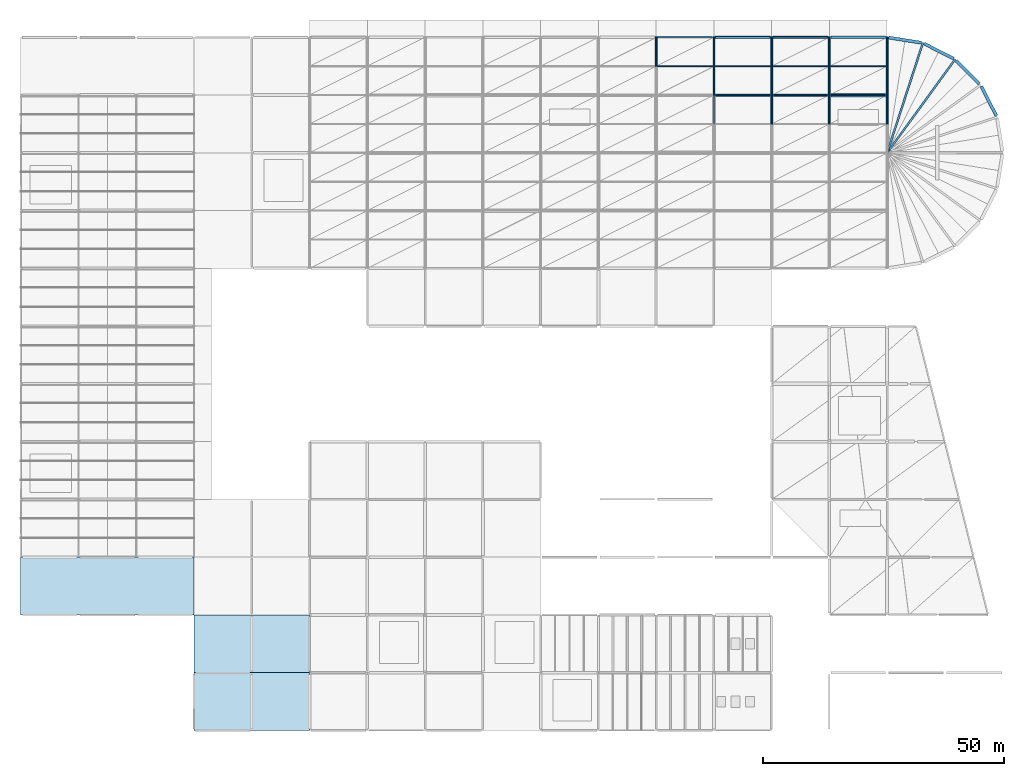
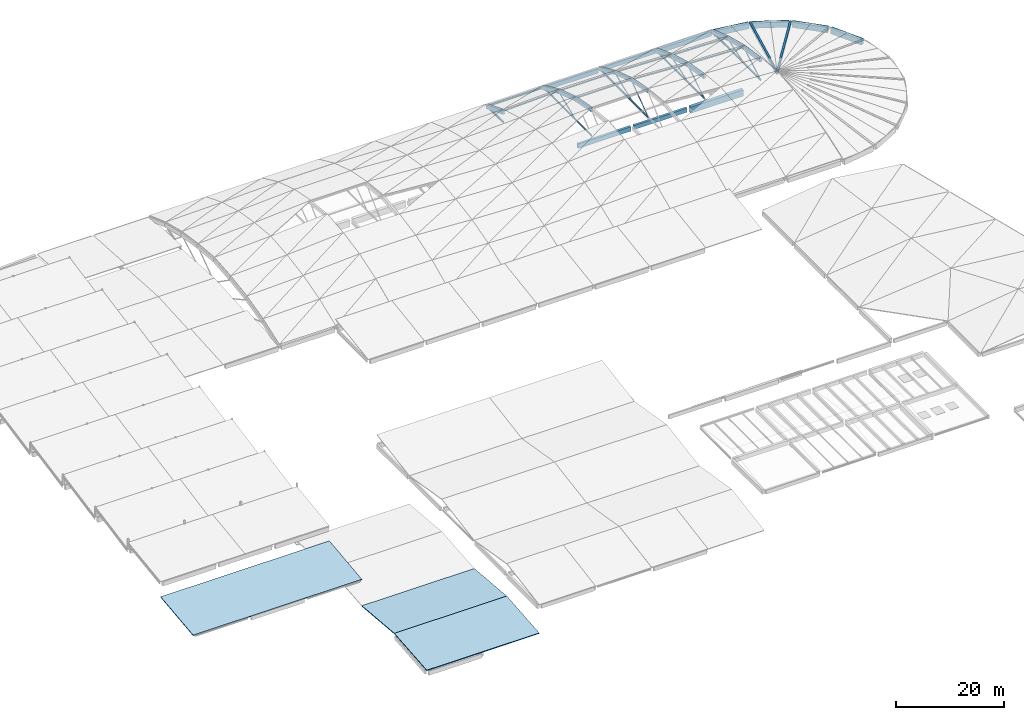
# One storey, part 17 of 23: 33 beams, 25 members, 3 slabs, 2 elements without a shape of their own.
"""IFC4 building model written with IfcOpenShell, lengths in metres."""

from ifc_helpers import new_model, si_unit, direction, frame, origin, origin_2d, place, context, subcontext, project, spatial, polyline, rectangle, hollow_circle, i_section, outline, extrude, material, layer, layer_set, material_profile, profile_set, type_object, element, aggregate, save


model = new_model("IFC4")

# Units and contexts
model_context = context("Model", 3, precision=1e-05, world=origin(), true_north=direction((0.0, 1.0)))
body_context = subcontext(model_context, "Body", "Model", "MODEL_VIEW")
ifc_project = project(units=[si_unit("LENGTHUNIT", "METRE"), si_unit("AREAUNIT", "SQUARE_METRE"), si_unit("VOLUMEUNIT", "CUBIC_METRE"), si_unit("PLANEANGLEUNIT", "RADIAN"), si_unit("MASSUNIT", "GRAM", prefix="KILO")], contexts=[model_context])

# Site, building, storey
site_placement = place(None, origin())
site = spatial("IfcSite", under=ifc_project, at=site_placement, CompositionType="ELEMENT")
building_placement = place(site_placement, origin())
building = spatial("IfcBuilding", under=site, at=building_placement, Name="Kamomehara Wholesale Market", CompositionType="ELEMENT")
storey_placement = place(building_placement, frame((0.0, 0.0, 21.0)))
storey = spatial("IfcBuildingStorey", under=building, at=storey_placement, Name="RF", CompositionType="ELEMENT", Elevation=21.0)

# Beams
ifc_material_1 = material(Name="Precast concrete Fc45 (C40/50)", Category="concrete")
ifc_material_profile_1 = material_profile(ifc_material_1, rectangle(XDim=0.5, YDim=1.0, at=origin_2d()), Name="PC-GRD-500x1000")
ifc_profile_set_1 = profile_set([ifc_material_profile_1], Name="Precast concrete Fc45 (C40/50)")
beam_type_1 = type_object("IfcBeamType", Name="BM-PG1000", PredefinedType="T_BEAM", material=ifc_profile_set_1)
beam_1_placement = place(storey_placement, frame((144.375, 144.0, -15.241943359375), z_axis=(1.0, 0.0, 0.0), x_axis=(0.0, 1.0, 0.0)))
element("IfcBeam", 1, at=beam_1_placement, inside=storey, type_object=beam_type_1, Name="Beam PG-09 RF", PredefinedType="T_BEAM", context=body_context, shape_type="SweptSolid", body=[
    extrude(rectangle(XDim=0.5, YDim=1.0, at=origin_2d()), origin(), (0.0, 0.0, 1.0), 11.25),
])
ifc_material_2 = material(Name="Precast concrete Fc45 (C40/50)", Category="concrete")
ifc_material_profile_2 = material_profile(ifc_material_2, rectangle(XDim=0.699951171875, YDim=1.39990234375, at=origin_2d()), Name="PC-GRD-700x1400")
ifc_profile_set_2 = profile_set([ifc_material_profile_2], Name="Precast concrete Fc45 (C40/50)")
beam_type_2 = type_object("IfcBeamType", Name="BM-PG1400", PredefinedType="T_BEAM", material=ifc_profile_set_2)
beam_2_placement = place(storey_placement, frame((168.375, 144.0, -15.44189453125), z_axis=(1.0, 0.0, 0.0), x_axis=(0.0, 1.0, 0.0)))
element("IfcBeam", 2, at=beam_2_placement, inside=storey, type_object=beam_type_2, Name="Beam PG-02 RF", PredefinedType="T_BEAM", context=body_context, shape_type="SweptSolid", body=[
    extrude(rectangle(XDim=0.699951171875, YDim=1.39990234375, at=origin_2d()), origin(), (0.0, 0.0, 1.0), 11.25),
])
ifc_material_3 = material(Name="Precast concrete Fc45 (C40/50)", Category="concrete")
ifc_material_profile_3 = material_profile(ifc_material_3, rectangle(XDim=0.5, YDim=0.89990234375, at=origin_2d()), Name="PC-GRD-500x900")
ifc_profile_set_3 = profile_set([ifc_material_profile_3], Name="Precast concrete Fc45 (C40/50)")
beam_type_3 = type_object("IfcBeamType", Name="BM-PG900", PredefinedType="T_BEAM", material=ifc_profile_set_3)
beam_3_placement = place(storey_placement, frame((156.375, 144.0, -15.201904296875), z_axis=(1.0, 0.0, 0.0), x_axis=(0.0, 1.0, 0.0)))
element("IfcBeam", 3, at=beam_3_placement, inside=storey, type_object=beam_type_3, Name="Beam PG-10 RF", PredefinedType="T_BEAM", context=body_context, shape_type="SweptSolid", body=[
    extrude(rectangle(XDim=0.5, YDim=0.89990234375, at=origin_2d()), origin(), (0.0, 0.0, 1.0), 11.25),
])
ifc_material_4 = material(Name="Concrete Fc36 (C35/45)", Category="concrete")
ifc_material_profile_4 = material_profile(ifc_material_4, rectangle(XDim=0.39990234375, YDim=0.699951171875, at=origin_2d()), Name="RC-RIB-400x700")
ifc_profile_set_4 = profile_set([ifc_material_profile_4], Name="Concrete Fc36 (C35/45)")
beam_type_4 = type_object("IfcBeamType", Name="BM-RIB700", PredefinedType="BEAM", material=ifc_profile_set_4)
beam_4_placement = place(storey_placement, frame((156.0, 138.0, -3.31689453125), z_axis=(0.0, 0.981199166637, -0.192997915508), x_axis=(-1.0, 0.0, 0.0)))
element("IfcBeam", 4, at=beam_4_placement, inside=storey, type_object=beam_type_4, Name="Shell arch rib V1 70", PredefinedType="BEAM", context=body_context, shape_type="SweptSolid", body=[
    extrude(rectangle(XDim=0.39990234375, YDim=0.699951171875, at=origin_2d()), origin(), (0.0, 0.0, 1.0), 6.114990234375),
])
beam_5_placement = place(storey_placement, frame((156.0, 144.0, -4.4970703125), z_axis=(0.0, 0.950191818193, -0.311665700132), x_axis=(-1.0, 0.0, 0.0)))
element("IfcBeam", 5, at=beam_5_placement, inside=storey, type_object=beam_type_4, Name="Shell arch rib V1 71", PredefinedType="BEAM", context=body_context, shape_type="SweptSolid", body=[
    extrude(rectangle(XDim=0.39990234375, YDim=0.699951171875, at=origin_2d()), origin(), (0.0, 0.0, 1.0), 6.314453125),
])
beam_6_placement = place(storey_placement, frame((156.0, 150.0, -6.465087890625), z_axis=(0.0, 0.908784493096, -0.417265796716), x_axis=(-1.0, 0.0, 0.0)))
element("IfcBeam", 6, at=beam_6_placement, inside=storey, type_object=beam_type_4, Name="Shell arch rib V1 72", PredefinedType="BEAM", context=body_context, shape_type="SweptSolid", body=[
    extrude(rectangle(XDim=0.39990234375, YDim=0.699951171875, at=origin_2d()), origin(), (0.0, 0.0, 1.0), 6.602294921875),
])
beam_7_placement = place(storey_placement, frame((194.10693359375, 151.416015625, -9.25), z_axis=(-0.573966043882, -0.789975624552, 0.215642048504), x_axis=(0.809009613282, -0.587795411361, 0.0)))
element("IfcBeam", 7, at=beam_7_placement, inside=storey, type_object=beam_type_4, Name="Apse radial shell rib 16", PredefinedType="BEAM", context=body_context, shape_type="SweptSolid", body=[
    extrude(rectangle(XDim=0.39990234375, YDim=0.699951171875, at=origin_2d()), origin(), (0.0, 0.0, 1.0), 24.577880859375),
])
beam_8_placement = place(storey_placement, frame((187.416015625, 154.824951171875, -9.25), z_axis=(-0.301736860826, -0.928683199088, 0.215644110866), x_axis=(0.951059707206, -0.30900717359, 0.0)))
element("IfcBeam", 8, at=beam_8_placement, inside=storey, type_object=beam_type_4, Name="Apse radial shell rib 18", PredefinedType="BEAM", context=body_context, shape_type="SweptSolid", body=[
    extrude(rectangle(XDim=0.39990234375, YDim=0.699951171875, at=origin_2d()), origin(), (0.0, 0.0, 1.0), 24.57763671875),
])
ifc_material_5 = material(Name="Concrete Fc36 (C35/45)", Category="concrete")
ifc_material_profile_5 = material_profile(ifc_material_5, rectangle(XDim=0.449951171875, YDim=0.800048828125, at=origin_2d()), Name="RC-RIB-450x800")
ifc_profile_set_5 = profile_set([ifc_material_profile_5], Name="Concrete Fc36 (C35/45)")
beam_type_5 = type_object("IfcBeamType", Name="BM-RIB800", PredefinedType="BEAM", material=ifc_profile_set_5)
beam_9_placement = place(storey_placement, frame((144.0, 138.0, -3.366943359375), z_axis=(0.0, 0.981199166637, -0.192997915508), x_axis=(-1.0, 0.0, 0.0)))
element("IfcBeam", 9, at=beam_9_placement, inside=storey, type_object=beam_type_5, Name="Shell arch rib V1 62", PredefinedType="BEAM", context=body_context, shape_type="SweptSolid", body=[
    extrude(rectangle(XDim=0.449951171875, YDim=0.800048828125, at=origin_2d()), origin(), (0.0, 0.0, 1.0), 6.114990234375),
])
beam_10_placement = place(storey_placement, frame((144.0, 144.0, -4.547119140625), z_axis=(0.0, 0.950203267555, -0.311630791687), x_axis=(-1.0, 0.0, 0.0)))
element("IfcBeam", 10, at=beam_10_placement, inside=storey, type_object=beam_type_5, Name="Shell arch rib V1 63", PredefinedType="BEAM", context=body_context, shape_type="SweptSolid", body=[
    extrude(rectangle(XDim=0.449951171875, YDim=0.800048828125, at=origin_2d()), origin(), (0.0, 0.0, 1.0), 6.314453125),
])
beam_11_placement = place(storey_placement, frame((144.0, 150.0, -6.514892578125), z_axis=(0.0, 0.908770470365, -0.417296336184), x_axis=(-1.0, 0.0, 0.0)))
element("IfcBeam", 11, at=beam_11_placement, inside=storey, type_object=beam_type_5, Name="Shell arch rib V1 64", PredefinedType="BEAM", context=body_context, shape_type="SweptSolid", body=[
    extrude(rectangle(XDim=0.449951171875, YDim=0.800048828125, at=origin_2d()), origin(), (0.0, 0.0, 1.0), 6.602294921875),
])
beam_12_placement = place(storey_placement, frame((180.0, 138.0, -4.722900390625), z_axis=(0.0, 0.988689487974, -0.149976986132), x_axis=(-1.0, 0.0, 0.0)))
element("IfcBeam", 12, at=beam_12_placement, inside=storey, type_object=beam_type_5, Name="Shell arch rib V1 86", PredefinedType="BEAM", context=body_context, shape_type="SweptSolid", body=[
    extrude(rectangle(XDim=0.449951171875, YDim=0.800048828125, at=origin_2d()), origin(), (0.0, 0.0, 1.0), 6.068603515625),
])
beam_13_placement = place(storey_placement, frame((180.0, 144.0, -5.633056640625), z_axis=(0.0, 0.969573603091, -0.244799975878), x_axis=(-1.0, 0.0, 0.0)))
element("IfcBeam", 13, at=beam_13_placement, inside=storey, type_object=beam_type_5, Name="Shell arch rib V1 87", PredefinedType="BEAM", context=body_context, shape_type="SweptSolid", body=[
    extrude(rectangle(XDim=0.449951171875, YDim=0.800048828125, at=origin_2d()), origin(), (0.0, 0.0, 1.0), 6.188232421875),
])
beam_14_placement = place(storey_placement, frame((180.0, 150.0, -7.14794921875), z_axis=(0.0, 0.942772001715, -0.333438079383), x_axis=(-1.0, 0.0, 0.0)))
element("IfcBeam", 14, at=beam_14_placement, inside=storey, type_object=beam_type_5, Name="Shell arch rib V1 88", PredefinedType="BEAM", context=body_context, shape_type="SweptSolid", body=[
    extrude(rectangle(XDim=0.449951171875, YDim=0.800048828125, at=origin_2d()), origin(), (0.0, 0.0, 1.0), 6.3642578125),
])
ifc_material_6 = material(Name="Concrete Fc36 (C35/45)", Category="concrete")
ifc_material_profile_6 = material_profile(ifc_material_6, rectangle(XDim=0.5, YDim=0.85009765625, at=origin_2d()), Name="RC-RIB-500x850")
ifc_profile_set_6 = profile_set([ifc_material_profile_6], Name="Concrete Fc36 (C35/45)")
beam_type_6 = type_object("IfcBeamType", Name="BM-RIB850", PredefinedType="BEAM", material=ifc_profile_set_6)
beam_15_placement = place(storey_placement, frame((132.0, 150.0, -6.930908203125), z_axis=(0.0, 0.930388439459, -0.366575165173), x_axis=(-1.0, 0.0, 0.0)))
element("IfcBeam", 15, at=beam_15_placement, inside=storey, type_object=beam_type_6, Name="Shell arch rib V1 56", PredefinedType="BEAM", context=body_context, shape_type="SweptSolid", body=[
    extrude(rectangle(XDim=0.5, YDim=0.85009765625, at=origin_2d()), origin(), (0.0, 0.0, 1.0), 6.448974609375),
])
beam_16_placement = place(storey_placement, frame((168.0, 138.0, -4.22998046875), z_axis=(0.0, 0.986046918552, -0.166467637739), x_axis=(-1.0, 0.0, 0.0)))
element("IfcBeam", 16, at=beam_16_placement, inside=storey, type_object=beam_type_6, Name="Shell arch rib V1 78", PredefinedType="BEAM", context=body_context, shape_type="SweptSolid", body=[
    extrude(rectangle(XDim=0.5, YDim=0.85009765625, at=origin_2d()), origin(), (0.0, 0.0, 1.0), 6.0849609375),
])
beam_17_placement = place(storey_placement, frame((168.0, 144.0, -5.242919921875), z_axis=(0.0, 0.962630519631, -0.270818172719), x_axis=(-1.0, 0.0, 0.0)))
element("IfcBeam", 17, at=beam_17_placement, inside=storey, type_object=beam_type_6, Name="Shell arch rib V1 79", PredefinedType="BEAM", context=body_context, shape_type="SweptSolid", body=[
    extrude(rectangle(XDim=0.5, YDim=0.85009765625, at=origin_2d()), origin(), (0.0, 0.0, 1.0), 6.23291015625),
])
beam_18_placement = place(storey_placement, frame((168.0, 150.0, -6.930908203125), z_axis=(0.0, 0.930388439459, -0.366575165173), x_axis=(-1.0, 0.0, 0.0)))
element("IfcBeam", 18, at=beam_18_placement, inside=storey, type_object=beam_type_6, Name="Shell arch rib V1 80", PredefinedType="BEAM", context=body_context, shape_type="SweptSolid", body=[
    extrude(rectangle(XDim=0.5, YDim=0.85009765625, at=origin_2d()), origin(), (0.0, 0.0, 1.0), 6.448974609375),
])
ifc_material_7 = material(Name="Concrete Fc36 (C35/45)", Category="concrete")
ifc_material_profile_7 = material_profile(ifc_material_7, rectangle(XDim=0.550048828125, YDim=1.0, at=origin_2d()), Name="RC-SEB-550x1000")
ifc_profile_set_7 = profile_set([ifc_material_profile_7], Name="Concrete Fc36 (C35/45)")
beam_type_7 = type_object("IfcBeamType", Name="BM-SEB1000-EXT", PredefinedType="SPANDREL", material=ifc_profile_set_7)
beam_19_placement = place(storey_placement, frame((168.324951171875, 156.0, -9.5), z_axis=(1.0, 0.0, 0.0), x_axis=(0.0, 1.0, 0.0)))
element("IfcBeam", 19, at=beam_19_placement, inside=storey, type_object=beam_type_7, Name="Beam SEB-03E RF", PredefinedType="SPANDREL", context=body_context, shape_type="SweptSolid", body=[
    extrude(rectangle(XDim=0.550048828125, YDim=1.0, at=origin_2d()), origin(), (0.0, 0.0, 1.0), 11.35009765625),
])
ifc_material_8 = material(Name="Concrete Fc36 (C35/45)", Category="concrete")
ifc_material_profile_8 = material_profile(ifc_material_8, rectangle(XDim=0.64990234375, YDim=1.199951171875, at=origin_2d()), Name="RC-SEB-650x1200")
ifc_profile_set_8 = profile_set([ifc_material_profile_8], Name="Concrete Fc36 (C35/45)")
beam_type_8 = type_object("IfcBeamType", Name="BM-SEB1200-EXT", PredefinedType="SPANDREL", material=ifc_profile_set_8)
beam_20_placement = place(storey_placement, frame((202.679931640625, 139.700927734375, -9.60009765625), z_axis=(-0.453995519716, 0.891003966365, 0.0), x_axis=(-0.891003966365, -0.453995519716, 0.0)))
element("IfcBeam", 20, at=beam_20_placement, inside=storey, type_object=beam_type_8, Name="Beam SEB-01E RF", PredefinedType="SPANDREL", context=body_context, shape_type="SweptSolid", body=[
    extrude(rectangle(XDim=0.64990234375, YDim=1.199951171875, at=origin_2d()), origin(), (0.0, 0.0, 1.0), 6.869873046875),
])
beam_21_placement = place(storey_placement, frame((199.18994140625, 146.3330078125, -9.60009765625), z_axis=(-0.707106781187, 0.707106781187, 0.0), x_axis=(-0.707106781187, -0.707106781187, 0.0)))
element("IfcBeam", 21, at=beam_21_placement, inside=storey, type_object=beam_type_8, Name="Beam SEB-01E RF", PredefinedType="SPANDREL", context=body_context, shape_type="SweptSolid", body=[
    extrude(rectangle(XDim=0.64990234375, YDim=1.199951171875, at=origin_2d()), origin(), (0.0, 0.0, 1.0), 6.86865234375),
])
beam_22_placement = place(storey_placement, frame((193.822021484375, 151.56103515625, -9.60009765625), z_axis=(-0.891003966365, 0.453995519716, 0.0), x_axis=(-0.453995519716, -0.891003966365, 0.0)))
element("IfcBeam", 22, at=beam_22_placement, inside=storey, type_object=beam_type_8, Name="Beam SEB-01E RF", PredefinedType="SPANDREL", context=body_context, shape_type="SweptSolid", body=[
    extrude(rectangle(XDim=0.64990234375, YDim=1.199951171875, at=origin_2d()), origin(), (0.0, 0.0, 1.0), 6.869873046875),
])
beam_23_placement = place(storey_placement, frame((187.10009765625, 154.875, -9.60009765625), z_axis=(-0.987678381109, 0.156497333814, 0.0), x_axis=(-0.156497333814, -0.987678381109, 0.0)))
element("IfcBeam", 23, at=beam_23_placement, inside=storey, type_object=beam_type_8, Name="Beam SEB-01E RF", PredefinedType="SPANDREL", context=body_context, shape_type="SweptSolid", body=[
    extrude(rectangle(XDim=0.64990234375, YDim=1.199951171875, at=origin_2d()), origin(), (0.0, 0.0, 1.0), 6.868896484375),
])
ifc_material_9 = material(Name="Precast concrete Fc45 (C40/50)", Category="concrete")
ifc_material_profile_9 = material_profile(ifc_material_9, rectangle(XDim=0.35009765625, YDim=0.85009765625, at=origin_2d()), Name="PC-SPN-350x850")
ifc_profile_set_9 = profile_set([ifc_material_profile_9], Name="Precast concrete Fc45 (C40/50)")
beam_type_9 = type_object("IfcBeamType", Name="BM-SPN850-EXT", PredefinedType="SPANDREL", material=ifc_profile_set_9)
beam_24_placement = place(storey_placement, frame((156.324951171875, 156.0, -9.425048828125), z_axis=(1.0, 0.0, 0.0), x_axis=(0.0, 1.0, 0.0)))
element("IfcBeam", 24, at=beam_24_placement, inside=storey, type_object=beam_type_9, Name="Beam SPN-02E RF", PredefinedType="SPANDREL", context=body_context, shape_type="SweptSolid", body=[
    extrude(rectangle(XDim=0.35009765625, YDim=0.85009765625, at=origin_2d()), origin(), (0.0, 0.0, 1.0), 11.35009765625),
])
ifc_material_10 = material(Name="Precast concrete Fc45 (C40/50)", Category="concrete")
ifc_material_profile_10 = material_profile(ifc_material_10, rectangle(XDim=0.39990234375, YDim=0.949951171875, at=origin_2d()), Name="PC-SPN-400x950")
ifc_profile_set_10 = profile_set([ifc_material_profile_10], Name="Precast concrete Fc45 (C40/50)")
beam_type_10 = type_object("IfcBeamType", Name="BM-SPN950-EXT", PredefinedType="SPANDREL", material=ifc_profile_set_10)
beam_25_placement = place(storey_placement, frame((144.324951171875, 156.0, -9.47509765625), z_axis=(1.0, 0.0, 0.0), x_axis=(0.0, 1.0, 0.0)))
element("IfcBeam", 25, at=beam_25_placement, inside=storey, type_object=beam_type_10, Name="Beam SPN-01E RF", PredefinedType="SPANDREL", context=body_context, shape_type="SweptSolid", body=[
    extrude(rectangle(XDim=0.39990234375, YDim=0.949951171875, at=origin_2d()), origin(), (0.0, 0.0, 1.0), 11.35009765625),
])
ifc_material_11 = material(Name="Steel SN400B", Category="steel")
ifc_material_profile_11 = material_profile(ifc_material_11, i_section(OverallWidth=0.14990234375, OverallDepth=0.300048828125, WebThickness=0.006591796875, FlangeThickness=0.009033203125, FilletRadius=0.012939453125, at=origin_2d()), Name="H-300x150x6.5x9")
ifc_profile_set_11 = profile_set([ifc_material_profile_11], Name="Steel SN400B")
beam_type_11 = type_object("IfcBeamType", Name="BM-ST-H300", PredefinedType="JOIST", material=ifc_profile_set_11)
beam_26_placement = place(storey_placement, frame((132.0, 150.0, -6.696044921875), z_axis=(0.999469278357, 0.0, 0.032575475747), x_axis=(0.0, 1.0, 0.0)))
element("IfcBeam", 26, at=beam_26_placement, inside=storey, type_object=beam_type_11, Name="Shell longitudinal purlin V1 49", PredefinedType="JOIST", context=body_context, shape_type="SweptSolid", body=[
    extrude(i_section(OverallWidth=0.14990234375, OverallDepth=0.300048828125, WebThickness=0.006591796875, FlangeThickness=0.009033203125, FilletRadius=0.012939453125, at=origin_2d()), origin(), (0.0, 0.0, 1.0), 12.00634765625),
])
for number, where, z_axis, x_axis, name in (
    (27, (144.0, 144.0, -4.3369140625), (1.0, 0.0, 0.0), (0.0, 1.0, 0.0), "Shell longitudinal purlin V1 55"),
    (28, (144.0, 150.0, -6.304931640625), (1.0, 0.0, 0.0), (0.0, 1.0, 0.0), "Shell longitudinal purlin V1 56"),
):
    element("IfcBeam", number, at=place(storey_placement, frame(where, z_axis=z_axis, x_axis=x_axis)), inside=storey, type_object=beam_type_11, Name=name, PredefinedType="JOIST", context=body_context, shape_type="SweptSolid", body=[
        extrude(i_section(OverallWidth=0.14990234375, OverallDepth=0.300048828125, WebThickness=0.006591796875, FlangeThickness=0.009033203125, FilletRadius=0.012939453125, at=origin_2d()), origin(), (0.0, 0.0, 1.0), 12.0),
    ])
beam_27_placement = place(storey_placement, frame((156.0, 144.0, -4.3369140625), z_axis=(0.998439658361, 0.0, -0.055841280535), x_axis=(0.0, 1.0, 0.0)))
element("IfcBeam", 29, at=beam_27_placement, inside=storey, type_object=beam_type_11, Name="Shell longitudinal purlin V1 62", PredefinedType="JOIST", context=body_context, shape_type="SweptSolid", body=[
    extrude(i_section(OverallWidth=0.14990234375, OverallDepth=0.300048828125, WebThickness=0.006591796875, FlangeThickness=0.009033203125, FilletRadius=0.012939453125, at=origin_2d()), origin(), (0.0, 0.0, 1.0), 12.018798828125),
])
beam_28_placement = place(storey_placement, frame((156.0, 150.0, -6.304931640625), z_axis=(0.999469278357, 0.0, -0.032575475747), x_axis=(0.0, 1.0, 0.0)))
element("IfcBeam", 30, at=beam_28_placement, inside=storey, type_object=beam_type_11, Name="Shell longitudinal purlin V1 63", PredefinedType="JOIST", context=body_context, shape_type="SweptSolid", body=[
    extrude(i_section(OverallWidth=0.14990234375, OverallDepth=0.300048828125, WebThickness=0.006591796875, FlangeThickness=0.009033203125, FilletRadius=0.012939453125, at=origin_2d()), origin(), (0.0, 0.0, 1.0), 12.00634765625),
])
beam_29_placement = place(storey_placement, frame((168.0, 144.0, -5.008056640625), z_axis=(0.999402420026, 0.0, -0.034565920289), x_axis=(0.0, 1.0, 0.0)))
element("IfcBeam", 31, at=beam_29_placement, inside=storey, type_object=beam_type_11, Name="Shell longitudinal purlin V1 69", PredefinedType="JOIST", context=body_context, shape_type="SweptSolid", body=[
    extrude(i_section(OverallWidth=0.14990234375, OverallDepth=0.300048828125, WebThickness=0.006591796875, FlangeThickness=0.009033203125, FilletRadius=0.012939453125, at=origin_2d()), origin(), (0.0, 0.0, 1.0), 12.007080078125),
])
beam_30_placement = place(storey_placement, frame((168.0, 150.0, -6.696044921875), z_axis=(0.9997968099, 0.0, -0.020157849907), x_axis=(0.0, 1.0, 0.0)))
element("IfcBeam", 32, at=beam_30_placement, inside=storey, type_object=beam_type_11, Name="Shell longitudinal purlin V1 70", PredefinedType="JOIST", context=body_context, shape_type="SweptSolid", body=[
    extrude(i_section(OverallWidth=0.14990234375, OverallDepth=0.300048828125, WebThickness=0.006591796875, FlangeThickness=0.009033203125, FilletRadius=0.012939453125, at=origin_2d()), origin(), (0.0, 0.0, 1.0), 12.00244140625),
])
ifc_material_12 = material(Name="Steel SN490B", Category="steel")
ifc_material_profile_12 = material_profile(ifc_material_12, i_section(OverallWidth=0.300048828125, OverallDepth=0.389892578125, WebThickness=0.010009765625, FlangeThickness=0.01611328125, FilletRadius=0.01806640625, at=origin_2d()), Name="H-390x300x10x16")
ifc_profile_set_12 = profile_set([ifc_material_profile_12], Name="Steel SN490B")
beam_type_12 = type_object("IfcBeamType", Name="BM-ST-H390-EXT", PredefinedType="SPANDREL", material=ifc_profile_set_12)
beam_31_placement = place(storey_placement, frame((132.324951171875, 156.0, -9.195068359375), z_axis=(1.0, 0.0, 0.0), x_axis=(0.0, 1.0, 0.0)))
element("IfcBeam", 33, at=beam_31_placement, inside=storey, type_object=beam_type_12, Name="Beam SJ-03E RF", PredefinedType="SPANDREL", context=body_context, shape_type="SweptSolid", body=[
    extrude(i_section(OverallWidth=0.300048828125, OverallDepth=0.389892578125, WebThickness=0.010009765625, FlangeThickness=0.01611328125, FilletRadius=0.01806640625, at=origin_2d()), origin(), (0.0, 0.0, 1.0), 11.35009765625),
])

# Members
ifc_material_13 = material(Name="Steel SN400B", Category="steel")
ifc_material_profile_13 = material_profile(ifc_material_13, hollow_circle(Radius=0.06982421875, WallThickness=0.006591796875, at=origin_2d()), Name="CHS-139.8x6.6")
ifc_profile_set_13 = profile_set([ifc_material_profile_13], Name="Steel SN400B")
member_type_1 = type_object("IfcMemberType", Name="MEM-BR-CHS139", PredefinedType="BRACE", material=ifc_profile_set_13)
member_1_placement = place(storey_placement, frame((132.0, 150.0, -9.25), z_axis=(0.0, 0.997786235602, 0.066502842363), x_axis=(-1.0, 0.0, 0.0)))
element("IfcMember", 34, at=member_1_placement, inside=storey, type_object=member_type_1, Name="Arch truss diagonal B V1 56", PredefinedType="BRACE", context=body_context, shape_type="SweptSolid", body=[
    extrude(hollow_circle(Radius=0.06982421875, WallThickness=0.006591796875, at=origin_2d()), origin(), (0.0, 0.0, 1.0), 6.013427734375),
])
member_2_placement = place(storey_placement, frame((144.0, 144.0, -9.25), z_axis=(0.0, 0.926597992532, 0.376053400778), x_axis=(-1.0, 0.0, 0.0)))
element("IfcMember", 35, at=member_2_placement, inside=storey, type_object=member_type_1, Name="Arch truss diagonal B V1 63", PredefinedType="BRACE", context=body_context, shape_type="SweptSolid", body=[
    extrude(hollow_circle(Radius=0.06982421875, WallThickness=0.006591796875, at=origin_2d()), origin(), (0.0, 0.0, 1.0), 6.475341796875),
])
member_3_placement = place(storey_placement, frame((144.0, 150.0, -9.25), z_axis=(0.0, 0.997786235602, 0.066502842363), x_axis=(-1.0, 0.0, 0.0)))
element("IfcMember", 36, at=member_3_placement, inside=storey, type_object=member_type_1, Name="Arch truss diagonal B V1 64", PredefinedType="BRACE", context=body_context, shape_type="SweptSolid", body=[
    extrude(hollow_circle(Radius=0.06982421875, WallThickness=0.006591796875, at=origin_2d()), origin(), (0.0, 0.0, 1.0), 6.013427734375),
])
member_4_placement = place(storey_placement, frame((156.0, 138.0, -9.25), z_axis=(0.0, 0.803016816128, 0.595956368382), x_axis=(-1.0, 0.0, 0.0)))
element("IfcMember", 37, at=member_4_placement, inside=storey, type_object=member_type_1, Name="Arch truss diagonal B V1 70", PredefinedType="BRACE", context=body_context, shape_type="SweptSolid", body=[
    extrude(hollow_circle(Radius=0.06982421875, WallThickness=0.006591796875, at=origin_2d()), origin(), (0.0, 0.0, 1.0), 7.471923828125),
])
member_5_placement = place(storey_placement, frame((156.0, 144.0, -9.25), z_axis=(0.0, 0.923889002314, 0.38266056944), x_axis=(-1.0, 0.0, 0.0)))
element("IfcMember", 38, at=member_5_placement, inside=storey, type_object=member_type_1, Name="Arch truss diagonal B V1 71", PredefinedType="BRACE", context=body_context, shape_type="SweptSolid", body=[
    extrude(hollow_circle(Radius=0.06982421875, WallThickness=0.006591796875, at=origin_2d()), origin(), (0.0, 0.0, 1.0), 6.494384765625),
])
member_6_placement = place(storey_placement, frame((156.0, 150.0, -9.25), z_axis=(0.0, 0.997786235602, 0.066502842363), x_axis=(-1.0, 0.0, 0.0)))
element("IfcMember", 39, at=member_6_placement, inside=storey, type_object=member_type_1, Name="Arch truss diagonal B V1 72", PredefinedType="BRACE", context=body_context, shape_type="SweptSolid", body=[
    extrude(hollow_circle(Radius=0.06982421875, WallThickness=0.006591796875, at=origin_2d()), origin(), (0.0, 0.0, 1.0), 6.013427734375),
])
member_7_placement = place(storey_placement, frame((168.0, 138.0, -9.25), z_axis=(0.0, 0.850725158831, 0.525610791491), x_axis=(-1.0, 0.0, 0.0)))
element("IfcMember", 40, at=member_7_placement, inside=storey, type_object=member_type_1, Name="Arch truss diagonal B V1 78", PredefinedType="BRACE", context=body_context, shape_type="SweptSolid", body=[
    extrude(hollow_circle(Radius=0.06982421875, WallThickness=0.006591796875, at=origin_2d()), origin(), (0.0, 0.0, 1.0), 7.052734375),
])
member_8_placement = place(storey_placement, frame((168.0, 144.0, -9.25), z_axis=(0.0, 0.947777010748, 0.318933751582), x_axis=(-1.0, 0.0, 0.0)))
element("IfcMember", 41, at=member_8_placement, inside=storey, type_object=member_type_1, Name="Arch truss diagonal B V1 79", PredefinedType="BRACE", context=body_context, shape_type="SweptSolid", body=[
    extrude(hollow_circle(Radius=0.06982421875, WallThickness=0.006591796875, at=origin_2d()), origin(), (0.0, 0.0, 1.0), 6.33056640625),
])
member_9_placement = place(storey_placement, frame((168.0, 150.0, -9.25), z_axis=(0.0, 0.997786235602, 0.066502842363), x_axis=(-1.0, 0.0, 0.0)))
element("IfcMember", 42, at=member_9_placement, inside=storey, type_object=member_type_1, Name="Arch truss diagonal B V1 80", PredefinedType="BRACE", context=body_context, shape_type="SweptSolid", body=[
    extrude(hollow_circle(Radius=0.06982421875, WallThickness=0.006591796875, at=origin_2d()), origin(), (0.0, 0.0, 1.0), 6.013427734375),
])
member_10_placement = place(storey_placement, frame((180.0, 138.0, -9.25), z_axis=(0.0, 0.875173289837, 0.483809583159), x_axis=(-1.0, 0.0, 0.0)))
element("IfcMember", 43, at=member_10_placement, inside=storey, type_object=member_type_1, Name="Arch truss diagonal B V1 86", PredefinedType="BRACE", context=body_context, shape_type="SweptSolid", body=[
    extrude(hollow_circle(Radius=0.06982421875, WallThickness=0.006591796875, at=origin_2d()), origin(), (0.0, 0.0, 1.0), 6.855712890625),
])
member_11_placement = place(storey_placement, frame((180.0, 144.0, -9.25), z_axis=(0.0, 0.957738288649, 0.287641044455), x_axis=(-1.0, 0.0, 0.0)))
element("IfcMember", 44, at=member_11_placement, inside=storey, type_object=member_type_1, Name="Arch truss diagonal B V1 87", PredefinedType="BRACE", context=body_context, shape_type="SweptSolid", body=[
    extrude(hollow_circle(Radius=0.06982421875, WallThickness=0.006591796875, at=origin_2d()), origin(), (0.0, 0.0, 1.0), 6.2646484375),
])
member_12_placement = place(storey_placement, frame((180.0, 150.0, -9.25), z_axis=(0.0, 0.997786235602, 0.066502842363), x_axis=(-1.0, 0.0, 0.0)))
element("IfcMember", 45, at=member_12_placement, inside=storey, type_object=member_type_1, Name="Arch truss diagonal B V1 88", PredefinedType="BRACE", context=body_context, shape_type="SweptSolid", body=[
    extrude(hollow_circle(Radius=0.06982421875, WallThickness=0.006591796875, at=origin_2d()), origin(), (0.0, 0.0, 1.0), 6.013427734375),
])
ifc_material_14 = material(Name="Steel SN490B", Category="steel")
ifc_material_profile_14 = material_profile(ifc_material_14, i_section(OverallWidth=0.175048828125, OverallDepth=0.35009765625, WebThickness=0.007080078125, FlangeThickness=0.010986328125, FilletRadius=0.012939453125, at=origin_2d()), Name="H-350x175x7x11")
ifc_profile_set_14 = profile_set([ifc_material_profile_14], Name="Steel SN490B")
member_type_2 = type_object("IfcMemberType", Name="MEM-CH-H350", PredefinedType="CHORD", material=ifc_profile_set_14)
for number, where, z_axis, x_axis, name in (
    (46, (144.0, 138.0, -9.25), (0.0, 1.0, 0.0), (-1.0, 0.0, 0.0), "Arch tie chord V1 62"),
    (47, (144.0, 144.0, -9.25), (0.0, 1.0, 0.0), (-1.0, 0.0, 0.0), "Arch tie chord V1 63"),
    (48, (144.0, 150.0, -9.25), (0.0, 1.0, 0.0), (-1.0, 0.0, 0.0), "Arch tie chord V1 64"),
    (49, (168.0, 138.0, -9.25), (0.0, 1.0, 0.0), (-1.0, 0.0, 0.0), "Arch tie chord V1 78"),
    (50, (168.0, 144.0, -9.25), (0.0, 1.0, 0.0), (-1.0, 0.0, 0.0), "Arch tie chord V1 79"),
    (51, (168.0, 150.0, -9.25), (0.0, 1.0, 0.0), (-1.0, 0.0, 0.0), "Arch tie chord V1 80"),
):
    element("IfcMember", number, at=place(storey_placement, frame(where, z_axis=z_axis, x_axis=x_axis)), inside=storey, type_object=member_type_2, Name=name, PredefinedType="CHORD", context=body_context, shape_type="SweptSolid", body=[
        extrude(i_section(OverallWidth=0.175048828125, OverallDepth=0.35009765625, WebThickness=0.007080078125, FlangeThickness=0.010986328125, FilletRadius=0.012939453125, at=origin_2d()), origin(), (0.0, 0.0, 1.0), 6.0),
    ])
ifc_material_15 = material(Name="Steel SN490B", Category="steel")
ifc_material_profile_15 = material_profile(ifc_material_15, i_section(OverallWidth=0.199951171875, OverallDepth=0.39990234375, WebThickness=0.008056640625, FlangeThickness=0.012939453125, FilletRadius=0.012939453125, at=origin_2d()), Name="H-400x200x8x13")
ifc_profile_set_15 = profile_set([ifc_material_profile_15], Name="Steel SN490B")
member_type_3 = type_object("IfcMemberType", Name="MEM-CH-H400", PredefinedType="CHORD", material=ifc_profile_set_15)
for number, where, z_axis, x_axis, name in (
    (52, (132.0, 150.0, -9.25), (0.0, 1.0, 0.0), (-1.0, 0.0, 0.0), "Arch tie chord V1 56"),
    (53, (156.0, 138.0, -9.25), (0.0, 1.0, 0.0), (-1.0, 0.0, 0.0), "Arch tie chord V1 70"),
    (54, (156.0, 144.0, -9.25), (0.0, 1.0, 0.0), (-1.0, 0.0, 0.0), "Arch tie chord V1 71"),
    (55, (156.0, 150.0, -9.25), (0.0, 1.0, 0.0), (-1.0, 0.0, 0.0), "Arch tie chord V1 72"),
    (56, (180.0, 138.0, -9.25), (0.0, 1.0, 0.0), (-1.0, 0.0, 0.0), "Arch tie chord V1 86"),
    (57, (180.0, 144.0, -9.25), (0.0, 1.0, 0.0), (-1.0, 0.0, 0.0), "Arch tie chord V1 87"),
    (58, (180.0, 150.0, -9.25), (0.0, 1.0, 0.0), (-1.0, 0.0, 0.0), "Arch tie chord V1 88"),
):
    element("IfcMember", number, at=place(storey_placement, frame(where, z_axis=z_axis, x_axis=x_axis)), inside=storey, type_object=member_type_3, Name=name, PredefinedType="CHORD", context=body_context, shape_type="SweptSolid", body=[
        extrude(i_section(OverallWidth=0.199951171875, OverallDepth=0.39990234375, WebThickness=0.008056640625, FlangeThickness=0.012939453125, FilletRadius=0.012939453125, at=origin_2d()), origin(), (0.0, 0.0, 1.0), 6.0),
    ])

# Roof, slab
ifc_material_16 = material(Name="Concrete Fc36 (C35/45)", Category="concrete")
ifc_layer_1 = layer(ifc_material_16, 0.199951171875)
ifc_layer_set_1 = layer_set([ifc_layer_1], Name="Concrete Fc36 (C35/45)")
roof_type_1 = type_object("IfcRoofType", Name="ROOF-SYS-03", PredefinedType="GABLE_ROOF", material=ifc_layer_set_1)
roof_1_placement = place(storey_placement, origin())
roof_1 = element("IfcRoof", 59, at=roof_1_placement, inside=storey, type_object=roof_type_1, Name="V3 North-Light Monitor Roof", PredefinedType="GABLE_ROOF")
ifc_material_17 = material(Name="Concrete Fc36 (C35/45)", Category="concrete")
ifc_layer_2 = layer(ifc_material_17, 0.1650390625)
ifc_layer_set_2 = layer_set([ifc_layer_2], Name="Concrete Fc36 (C35/45)")
slab_type_1 = type_object("IfcSlabType", Name="SLB-ROF-165", PredefinedType="ROOF", material=ifc_layer_set_2)
slab_1_placement = place(storey_placement, frame((0.0, 36.0, -9.60009765625), z_axis=(0.0, -0.115892661513, 0.993261743453), x_axis=(1.0, 0.0, 0.0)))
slab_1 = element("IfcSlab", 60, at=slab_1_placement, type_object=slab_type_1, Name="V3 step roof S", PredefinedType="ROOF", context=body_context, shape_type="SweptSolid", body=[
    extrude(outline(polyline([(0.0, 0.0), (36.0, 0.0), (36.0, 12.081407624019137), (0.0, 12.081407624019137), (0.0, 0.0)])), origin(), (0.0, 0.0, -1.0), 0.1650390625),
])
aggregate(roof_1, [slab_1])

# Roof, slabs
ifc_material_18 = material(Name="Concrete Fc36 (C35/45)", Category="concrete")
ifc_layer_3 = layer(ifc_material_18, 0.199951171875)
ifc_layer_set_3 = layer_set([ifc_layer_3], Name="Concrete Fc36 (C35/45)")
roof_type_2 = type_object("IfcRoofType", Name="ROOF-SYS-04", PredefinedType="GABLE_ROOF", material=ifc_layer_set_3)
roof_2_placement = place(storey_placement, origin())
roof_2 = element("IfcRoof", 61, at=roof_2_placement, inside=storey, type_object=roof_type_2, Name="V4 Asymmetric Coastal Eave Roof", PredefinedType="GABLE_ROOF")
ifc_material_19 = material(Name="Concrete Fc36 (C35/45)", Category="concrete")
ifc_layer_4 = layer(ifc_material_19, 0.179931640625)
ifc_layer_set_4 = layer_set([ifc_layer_4], Name="Concrete Fc36 (C35/45)")
slab_type_2 = type_object("IfcSlabType", Name="SLB-SHL-180", PredefinedType="ROOF", material=ifc_layer_set_4)
slab_2_placement = place(storey_placement, frame((36.0, 12.0, -15.550048828125), z_axis=(0.0, -0.087170973002, 0.9961933655), x_axis=(1.0, 0.0, 0.0)))
slab_2 = element("IfcSlab", 62, at=slab_2_placement, type_object=slab_type_2, Name="Live-tank hall pleated roof 1", PredefinedType="ROOF", context=body_context, shape_type="SweptSolid", body=[
    extrude(outline(polyline([(0.0, 0.0), (24.0, 0.0), (24.0, 12.045854164045267), (0.0, 12.045854164045267), (0.0, 0.0)])), origin(), (0.0, 0.0, -1.0), 0.179931640625),
])
slab_3_placement = place(storey_placement, frame((36.0, 24.0, -14.5), z_axis=(0.0, 0.087170973002, 0.9961933655), x_axis=(1.0, 0.0, 0.0)))
slab_3 = element("IfcSlab", 63, at=slab_3_placement, type_object=slab_type_2, Name="Live-tank hall pleated roof 2", PredefinedType="ROOF", context=body_context, shape_type="SweptSolid", body=[
    extrude(outline(polyline([(0.0, 0.0), (24.0, 0.0), (24.0, 12.045854164045267), (0.0, 12.045854164045267), (0.0, 0.0)])), origin(), (0.0, 0.0, -1.0), 0.179931640625),
])
aggregate(roof_2, [slab_2, slab_3])

save(model, "model.ifc")
